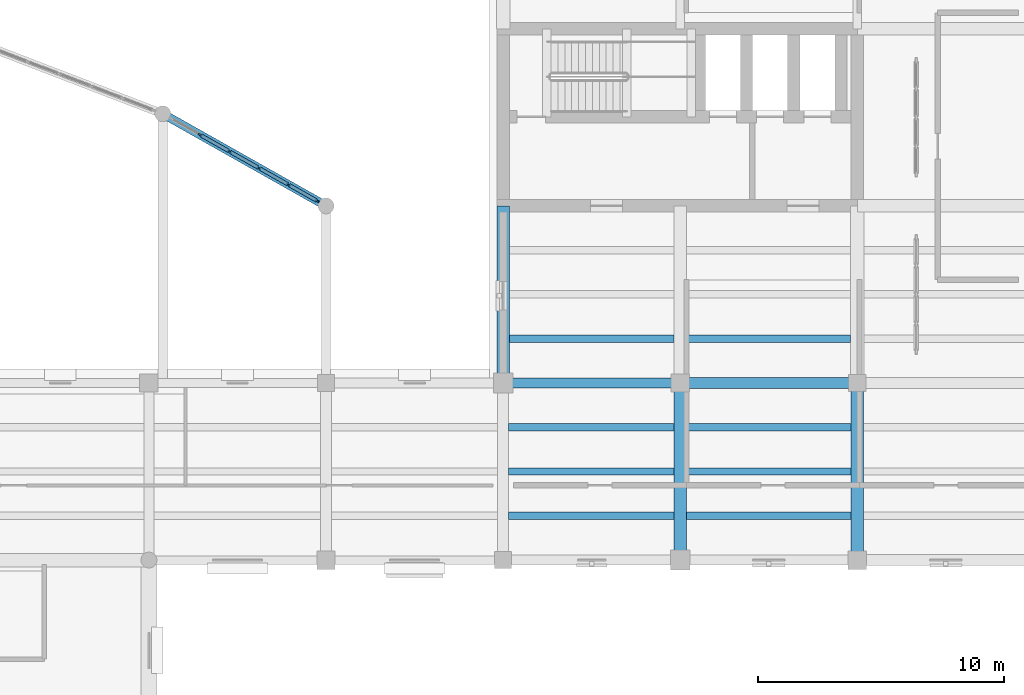
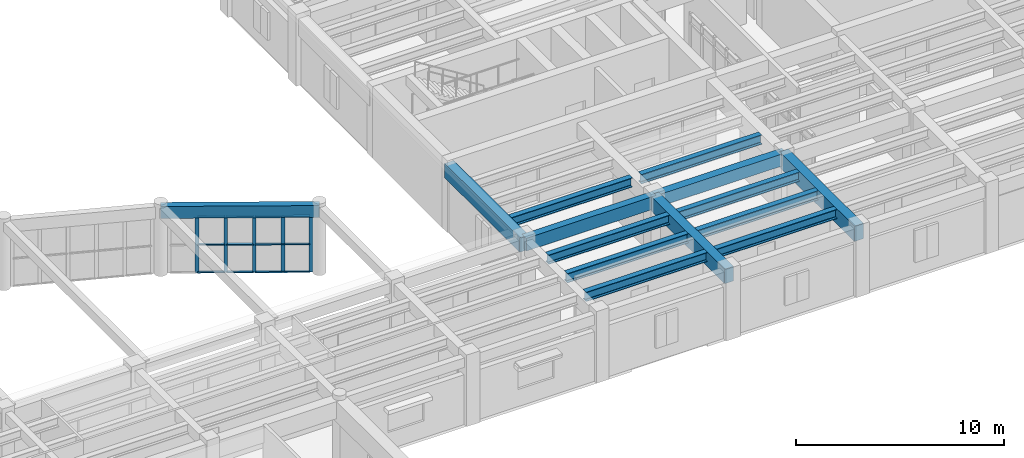
# One storey, part 20 of 76: 17 members, 14 beams, 1 element without a shape of its own.
"""IFC4 building model written with IfcOpenShell, lengths in metres."""

from ifc_helpers import new_model, si_unit, direction, frame, origin, origin_2d, place, context, subcontext, project, spatial, rectangle, i_section, extrude, material, material_profile, profile_set, type_object, element, aggregate, save


model = new_model("IFC4")

# Units and contexts
model_context = context("Model", 3, precision=1e-05, world=origin(), true_north=direction((0.0, 1.0)))
body_context = subcontext(model_context, "Body", "Model", "MODEL_VIEW")
ifc_project = project(units=[si_unit("LENGTHUNIT", "METRE"), si_unit("AREAUNIT", "SQUARE_METRE"), si_unit("VOLUMEUNIT", "CUBIC_METRE"), si_unit("PLANEANGLEUNIT", "RADIAN"), si_unit("MASSUNIT", "GRAM", prefix="KILO")], contexts=[model_context])

# Site, building, storey
site_placement = place(None, origin())
site = spatial("IfcSite", under=ifc_project, at=site_placement, CompositionType="ELEMENT")
building_placement = place(site_placement, origin())
building = spatial("IfcBuilding", under=site, at=building_placement, Name="Mithqara Police Headquarters", CompositionType="ELEMENT")
storey_placement = place(building_placement, frame((0.0, 0.0, 5.39990234375)))
storey = spatial("IfcBuildingStorey", under=building, at=storey_placement, Name="L01", CompositionType="ELEMENT", Elevation=5.39990234375)

# Beams
ifc_material_1 = material(Name="Steel S355JR", Category="steel")
ifc_material_profile_1 = material_profile(ifc_material_1, i_section(OverallWidth=0.300048828125, OverallDepth=0.550048828125, WebThickness=0.014892578125, FlangeThickness=0.029052734375, FilletRadius=0.027099609375, at=origin_2d()), Name="HEB 550")
ifc_profile_set_1 = profile_set([ifc_material_profile_1], Name="Steel S355JR")
beam_type_1 = type_object("IfcBeamType", Name="BEAM HEB550", PredefinedType="BEAM", material=ifc_profile_set_1)
for number, where, z_axis, x_axis, name in (
    (1, (108.824951171875, 80.39990234375, 3.64501953125), (1.0, 0.0, 0.0), (0.0, 1.0, 0.0), "L01 Composite Steel Joist 16-17/M.1"),
    (2, (108.824951171875, 82.199951171875, 3.64501953125), (1.0, 0.0, 0.0), (0.0, 1.0, 0.0), "L01 Composite Steel Joist 16-17/M.2"),
    (3, (108.824951171875, 84.0, 3.64501953125), (1.0, 0.0, 0.0), (0.0, 1.0, 0.0), "L01 Composite Steel Joist 16-17/M.3"),
):
    element("IfcBeam", number, at=place(storey_placement, frame(where, z_axis=z_axis, x_axis=x_axis)), inside=storey, type_object=beam_type_1, Name=name, PredefinedType="BEAM", context=body_context, shape_type="SweptSolid", body=[
        extrude(i_section(OverallWidth=0.300048828125, OverallDepth=0.550048828125, WebThickness=0.014892578125, FlangeThickness=0.029052734375, FilletRadius=0.027099609375, at=origin_2d()), origin(), (0.0, 0.0, 1.0), 6.72509765625),
    ])
for number, where, z_axis, x_axis, name in (
    (4, (108.85009765625, 87.60009765625, 3.64501953125), (1.0, 0.0, 0.0), (0.0, 1.0, 0.0), "L01 Composite Steel Joist 16-17/N.1"),
    (5, (116.050048828125, 80.39990234375, 3.64501953125), (1.0, 0.0, 0.0), (0.0, 1.0, 0.0), "L01 Composite Steel Joist 17-18/M.1"),
    (6, (116.050048828125, 82.199951171875, 3.64501953125), (1.0, 0.0, 0.0), (0.0, 1.0, 0.0), "L01 Composite Steel Joist 17-18/M.2"),
    (7, (116.050048828125, 84.0, 3.64501953125), (1.0, 0.0, 0.0), (0.0, 1.0, 0.0), "L01 Composite Steel Joist 17-18/M.3"),
):
    element("IfcBeam", number, at=place(storey_placement, frame(where, z_axis=z_axis, x_axis=x_axis)), inside=storey, type_object=beam_type_1, Name=name, PredefinedType="BEAM", context=body_context, shape_type="SweptSolid", body=[
        extrude(i_section(OverallWidth=0.300048828125, OverallDepth=0.550048828125, WebThickness=0.014892578125, FlangeThickness=0.029052734375, FilletRadius=0.027099609375, at=origin_2d()), origin(), (0.0, 0.0, 1.0), 6.699951171875),
    ])
beam_1_placement = place(storey_placement, frame((116.050048828125, 87.60009765625, 3.64501953125), z_axis=(1.0, 0.0, 0.0), x_axis=(0.0, 1.0, 0.0)))
element("IfcBeam", 8, at=beam_1_placement, inside=storey, type_object=beam_type_1, Name="L01 Composite Steel Joist 17-18/N.1", PredefinedType="BEAM", context=body_context, shape_type="SweptSolid", body=[
    extrude(i_section(OverallWidth=0.300048828125, OverallDepth=0.550048828125, WebThickness=0.014892578125, FlangeThickness=0.029052734375, FilletRadius=0.027099609375, at=origin_2d()), origin(), (0.0, 0.0, 1.0), 6.675048828125),
])
ifc_material_2 = material(Name="Concrete C40/50", Category="concrete")
ifc_material_profile_2 = material_profile(ifc_material_2, rectangle(XDim=0.39990234375, YDim=0.75, at=origin_2d()), Name="RC 400x750")
ifc_profile_set_2 = profile_set([ifc_material_profile_2], Name="Concrete C40/50")
beam_type_2 = type_object("IfcBeamType", Name="BEAM RC400X750", PredefinedType="BEAM", material=ifc_profile_set_2)
beam_2_placement = place(storey_placement, frame((108.60009765625, 85.800048828125, 3.545166015625), z_axis=(1.0, 0.0, 0.0), x_axis=(0.0, 1.0, 0.0)))
element("IfcBeam", 9, at=beam_2_placement, inside=storey, type_object=beam_type_2, Name="L01 Girder 16-17/N", PredefinedType="BEAM", context=body_context, shape_type="SweptSolid", body=[
    extrude(rectangle(XDim=0.39990234375, YDim=0.75, at=origin_2d()), origin(), (0.0, 0.0, 1.0), 7.199951171875),
])
ifc_material_profile_3 = material_profile(ifc_material_2, rectangle(XDim=0.449951171875, YDim=0.699951171875, at=origin_2d()), Name="RC 450x700")
ifc_profile_set_3 = profile_set([ifc_material_profile_3], Name="Concrete C40/50")
beam_type_3 = type_object("IfcBeamType", Name="BEAM RC450X700", PredefinedType="BEAM", material=ifc_profile_set_3)
beam_3_placement = place(storey_placement, frame((115.800048828125, 85.800048828125, 3.570068359375), z_axis=(1.0, 0.0, 0.0), x_axis=(0.0, 1.0, 0.0)))
element("IfcBeam", 10, at=beam_3_placement, inside=storey, type_object=beam_type_3, Name="L01 Girder 17-18/N", PredefinedType="BEAM", context=body_context, shape_type="SweptSolid", body=[
    extrude(rectangle(XDim=0.449951171875, YDim=0.699951171875, at=origin_2d()), origin(), (0.0, 0.0, 1.0), 7.199951171875),
])
ifc_material_profile_4 = material_profile(ifc_material_2, rectangle(XDim=0.5, YDim=0.85009765625, at=origin_2d()), Name="RC 500x850")
ifc_profile_set_4 = profile_set([ifc_material_profile_4], Name="Concrete C40/50")
beam_type_4 = type_object("IfcBeamType", Name="BEAM RC500X850", PredefinedType="BEAM", material=ifc_profile_set_4)
for number, where, z_axis, x_axis, name in (
    (11, (108.60009765625, 85.800048828125, 3.4951171875), (0.0, 1.0, 0.0), (-1.0, 0.0, 0.0), "L01 Girder 16/N-P"),
    (12, (115.800048828125, 78.60009765625, 3.4951171875), (0.0, 1.0, 0.0), (-1.0, 0.0, 0.0), "L01 Girder 17/M-N"),
):
    element("IfcBeam", number, at=place(storey_placement, frame(where, z_axis=z_axis, x_axis=x_axis)), inside=storey, type_object=beam_type_4, Name=name, PredefinedType="BEAM", context=body_context, shape_type="SweptSolid", body=[
        extrude(rectangle(XDim=0.5, YDim=0.85009765625, at=origin_2d()), origin(), (0.0, 0.0, 1.0), 7.199951171875),
    ])
ifc_material_3 = material(Name="Concrete C50/60", Category="concrete")
ifc_material_profile_5 = material_profile(ifc_material_3, rectangle(XDim=0.5, YDim=0.89990234375, at=origin_2d()), Name="RC 500x900")
ifc_profile_set_5 = profile_set([ifc_material_profile_5], Name="Concrete C50/60")
beam_type_5 = type_object("IfcBeamType", Name="BEAM RC500X900", PredefinedType="BEAM", material=ifc_profile_set_5)
beam_4_placement = place(storey_placement, frame((123.0, 78.60009765625, 3.47021484375), z_axis=(0.0, 1.0, 0.0), x_axis=(-1.0, 0.0, 0.0)))
element("IfcBeam", 13, at=beam_4_placement, inside=storey, type_object=beam_type_5, Name="L01 Girder 18/M-N", PredefinedType="BEAM", context=body_context, shape_type="SweptSolid", body=[
    extrude(rectangle(XDim=0.5, YDim=0.89990234375, at=origin_2d()), origin(), (0.0, 0.0, 1.0), 7.199951171875),
])

# Curtain wall, members
ifc_material_4 = material(Name="Bronze anodised aluminium 6063-T6", Category="aluminium")
curtain_wall_type = type_object("IfcCurtainWallType", Name="CURTAIN WALL 6875X3300", PredefinedType="USERDEFINED", material=ifc_material_4)
curtain_wall_placement = place(storey_placement, origin())
curtain_wall = element("IfcCurtainWall", 14, at=curtain_wall_placement, inside=storey, type_object=curtain_wall_type, Name="L01 Unitised Glazing CW-12 (CW-ARC-L01-07-0)", ObjectType="UNITISED GLAZING", PredefinedType="USERDEFINED")
ifc_material_profile_6 = material_profile(ifc_material_4, rectangle(XDim=0.06494140625, YDim=0.179931640625, at=origin_2d()), Name="CWM 65x180")
ifc_profile_set_6 = profile_set([ifc_material_profile_6], Name="Bronze anodised aluminium 6063-T6")
member_type_1 = type_object("IfcMemberType", Name="CWMULLION 65X180", PredefinedType="MULLION", material=ifc_profile_set_6)
member_1_placement = place(storey_placement, frame((96.28369140625, 95.885986328125, 0.0), z_axis=(0.0, 0.0, 1.0), x_axis=(0.491307888255, 0.870985969427, 0.0)))
member_1 = element("IfcMember", 15, at=member_1_placement, type_object=member_type_1, Name="CW-12 mullion 2", PredefinedType="MULLION", context=body_context, shape_type="SweptSolid", body=[
    extrude(rectangle(XDim=0.06494140625, YDim=0.179931640625, at=origin_2d()), origin(), (0.0, 0.0, 1.0), 3.300048828125),
])
member_2_placement = place(storey_placement, frame((97.481201171875, 95.210693359375, 0.0), z_axis=(0.0, 0.0, 1.0), x_axis=(0.491307888255, 0.870985969427, 0.0)))
member_2 = element("IfcMember", 16, at=member_2_placement, type_object=member_type_1, Name="CW-12 mullion 3", PredefinedType="MULLION", context=body_context, shape_type="SweptSolid", body=[
    extrude(rectangle(XDim=0.06494140625, YDim=0.179931640625, at=origin_2d()), origin(), (0.0, 0.0, 1.0), 3.300048828125),
])
member_3_placement = place(storey_placement, frame((98.6787109375, 94.53515625, 0.0), z_axis=(0.0, 0.0, 1.0), x_axis=(0.491307888255, 0.870985969427, 0.0)))
member_3 = element("IfcMember", 17, at=member_3_placement, type_object=member_type_1, Name="CW-12 mullion 4", PredefinedType="MULLION", context=body_context, shape_type="SweptSolid", body=[
    extrude(rectangle(XDim=0.06494140625, YDim=0.179931640625, at=origin_2d()), origin(), (0.0, 0.0, 1.0), 3.300048828125),
])
member_4_placement = place(storey_placement, frame((99.876220703125, 93.859619140625, 0.0), z_axis=(0.0, 0.0, 1.0), x_axis=(0.491307888255, 0.870985969427, 0.0)))
member_4 = element("IfcMember", 18, at=member_4_placement, type_object=member_type_1, Name="CW-12 mullion 5", PredefinedType="MULLION", context=body_context, shape_type="SweptSolid", body=[
    extrude(rectangle(XDim=0.06494140625, YDim=0.179931640625, at=origin_2d()), origin(), (0.0, 0.0, 1.0), 3.300048828125),
])
member_5_placement = place(storey_placement, frame((101.04541015625, 93.199951171875, 0.0), z_axis=(0.0, 0.0, 1.0), x_axis=(0.491307888255, 0.870985969427, 0.0)))
member_5 = element("IfcMember", 19, at=member_5_placement, type_object=member_type_1, Name="CW-12 mullion 6", PredefinedType="MULLION", context=body_context, shape_type="SweptSolid", body=[
    extrude(rectangle(XDim=0.06494140625, YDim=0.179931640625, at=origin_2d()), origin(), (0.0, 0.0, 1.0), 3.300048828125),
])
ifc_material_profile_7 = material_profile(ifc_material_4, rectangle(XDim=0.139892578125, YDim=0.06494140625, at=origin_2d()), Name="CWT 140x65")
ifc_profile_set_7 = profile_set([ifc_material_profile_7], Name="Bronze anodised aluminium 6063-T6")
member_type_2 = type_object("IfcMemberType", Name="CWTRANSOM 140X65", PredefinedType="USERDEFINED", material=ifc_profile_set_7)
member_6_placement = place(storey_placement, frame((96.31201171875, 95.8701171875, 0.03271484375), z_axis=(0.870982557983, -0.491313935982, 0.0), x_axis=(0.491313935982, 0.870982557983, 0.0)))
member_6 = element("IfcMember", 20, at=member_6_placement, type_object=member_type_2, Name="CW-12 transom 2.1", ObjectType="TRANSOM", PredefinedType="USERDEFINED", context=body_context, shape_type="SweptSolid", body=[
    extrude(rectangle(XDim=0.139892578125, YDim=0.06494140625, at=origin_2d()), origin(), (0.0, 0.0, 1.0), 1.309814453125),
])
member_7_placement = place(storey_placement, frame((96.31201171875, 95.8701171875, 1.650146484375), z_axis=(0.870982557983, -0.491313935982, 0.0), x_axis=(0.491313935982, 0.870982557983, 0.0)))
member_7 = element("IfcMember", 21, at=member_7_placement, type_object=member_type_2, Name="CW-12 transom 2.2", ObjectType="TRANSOM", PredefinedType="USERDEFINED", context=body_context, shape_type="SweptSolid", body=[
    extrude(rectangle(XDim=0.139892578125, YDim=0.06494140625, at=origin_2d()), origin(), (0.0, 0.0, 1.0), 1.309814453125),
])
member_8_placement = place(storey_placement, frame((96.31201171875, 95.8701171875, 3.267578125), z_axis=(0.870982557983, -0.491313935982, 0.0), x_axis=(0.491313935982, 0.870982557983, 0.0)))
member_8 = element("IfcMember", 22, at=member_8_placement, type_object=member_type_2, Name="CW-12 transom 2.3", ObjectType="TRANSOM", PredefinedType="USERDEFINED", context=body_context, shape_type="SweptSolid", body=[
    extrude(rectangle(XDim=0.139892578125, YDim=0.06494140625, at=origin_2d()), origin(), (0.0, 0.0, 1.0), 1.309814453125),
])
member_9_placement = place(storey_placement, frame((97.509521484375, 95.194580078125, 0.03271484375), z_axis=(0.870982557983, -0.491313935982, 0.0), x_axis=(0.491313935982, 0.870982557983, 0.0)))
member_9 = element("IfcMember", 23, at=member_9_placement, type_object=member_type_2, Name="CW-12 transom 3.1", ObjectType="TRANSOM", PredefinedType="USERDEFINED", context=body_context, shape_type="SweptSolid", body=[
    extrude(rectangle(XDim=0.139892578125, YDim=0.06494140625, at=origin_2d()), origin(), (0.0, 0.0, 1.0), 1.309814453125),
])
member_10_placement = place(storey_placement, frame((97.509521484375, 95.194580078125, 1.650146484375), z_axis=(0.870982557983, -0.491313935982, 0.0), x_axis=(0.491313935982, 0.870982557983, 0.0)))
member_10 = element("IfcMember", 24, at=member_10_placement, type_object=member_type_2, Name="CW-12 transom 3.2", ObjectType="TRANSOM", PredefinedType="USERDEFINED", context=body_context, shape_type="SweptSolid", body=[
    extrude(rectangle(XDim=0.139892578125, YDim=0.06494140625, at=origin_2d()), origin(), (0.0, 0.0, 1.0), 1.309814453125),
])
member_11_placement = place(storey_placement, frame((97.509521484375, 95.194580078125, 3.267578125), z_axis=(0.870982557983, -0.491313935982, 0.0), x_axis=(0.491313935982, 0.870982557983, 0.0)))
member_11 = element("IfcMember", 25, at=member_11_placement, type_object=member_type_2, Name="CW-12 transom 3.3", ObjectType="TRANSOM", PredefinedType="USERDEFINED", context=body_context, shape_type="SweptSolid", body=[
    extrude(rectangle(XDim=0.139892578125, YDim=0.06494140625, at=origin_2d()), origin(), (0.0, 0.0, 1.0), 1.309814453125),
])
member_12_placement = place(storey_placement, frame((98.70703125, 94.51904296875, 0.03271484375), z_axis=(0.870982557983, -0.491313935982, 0.0), x_axis=(0.491313935982, 0.870982557983, 0.0)))
member_12 = element("IfcMember", 26, at=member_12_placement, type_object=member_type_2, Name="CW-12 transom 4.1", ObjectType="TRANSOM", PredefinedType="USERDEFINED", context=body_context, shape_type="SweptSolid", body=[
    extrude(rectangle(XDim=0.139892578125, YDim=0.06494140625, at=origin_2d()), origin(), (0.0, 0.0, 1.0), 1.309814453125),
])
member_13_placement = place(storey_placement, frame((98.70703125, 94.51904296875, 1.650146484375), z_axis=(0.870982557983, -0.491313935982, 0.0), x_axis=(0.491313935982, 0.870982557983, 0.0)))
member_13 = element("IfcMember", 27, at=member_13_placement, type_object=member_type_2, Name="CW-12 transom 4.2", ObjectType="TRANSOM", PredefinedType="USERDEFINED", context=body_context, shape_type="SweptSolid", body=[
    extrude(rectangle(XDim=0.139892578125, YDim=0.06494140625, at=origin_2d()), origin(), (0.0, 0.0, 1.0), 1.309814453125),
])
member_14_placement = place(storey_placement, frame((98.70703125, 94.51904296875, 3.267578125), z_axis=(0.870982557983, -0.491313935982, 0.0), x_axis=(0.491313935982, 0.870982557983, 0.0)))
member_14 = element("IfcMember", 28, at=member_14_placement, type_object=member_type_2, Name="CW-12 transom 4.3", ObjectType="TRANSOM", PredefinedType="USERDEFINED", context=body_context, shape_type="SweptSolid", body=[
    extrude(rectangle(XDim=0.139892578125, YDim=0.06494140625, at=origin_2d()), origin(), (0.0, 0.0, 1.0), 1.309814453125),
])
member_15_placement = place(storey_placement, frame((99.904541015625, 93.84375, 0.03271484375), z_axis=(0.870947009323, -0.49137694996, 0.0), x_axis=(0.49137694996, 0.870947009323, 0.0)))
member_15 = element("IfcMember", 29, at=member_15_placement, type_object=member_type_2, Name="CW-12 transom 5.1", ObjectType="TRANSOM", PredefinedType="USERDEFINED", context=body_context, shape_type="SweptSolid", body=[
    extrude(rectangle(XDim=0.139892578125, YDim=0.06494140625, at=origin_2d()), origin(), (0.0, 0.0, 1.0), 1.27734375),
])
member_16_placement = place(storey_placement, frame((99.904541015625, 93.84375, 1.650146484375), z_axis=(0.870947009323, -0.49137694996, 0.0), x_axis=(0.49137694996, 0.870947009323, 0.0)))
member_16 = element("IfcMember", 30, at=member_16_placement, type_object=member_type_2, Name="CW-12 transom 5.2", ObjectType="TRANSOM", PredefinedType="USERDEFINED", context=body_context, shape_type="SweptSolid", body=[
    extrude(rectangle(XDim=0.139892578125, YDim=0.06494140625, at=origin_2d()), origin(), (0.0, 0.0, 1.0), 1.27734375),
])
member_17_placement = place(storey_placement, frame((99.904541015625, 93.84375, 3.267578125), z_axis=(0.870947009323, -0.49137694996, 0.0), x_axis=(0.49137694996, 0.870947009323, 0.0)))
member_17 = element("IfcMember", 31, at=member_17_placement, type_object=member_type_2, Name="CW-12 transom 5.3", ObjectType="TRANSOM", PredefinedType="USERDEFINED", context=body_context, shape_type="SweptSolid", body=[
    extrude(rectangle(XDim=0.139892578125, YDim=0.06494140625, at=origin_2d()), origin(), (0.0, 0.0, 1.0), 1.27734375),
])
aggregate(curtain_wall, [member_1, member_2, member_3, member_4, member_5, member_6, member_7, member_8, member_9, member_10, member_11, member_12, member_13, member_14, member_15, member_16, member_17])

# Beam
ifc_material_profile_8 = material_profile(ifc_material_2, rectangle(XDim=0.35009765625, YDim=0.699951171875, at=origin_2d()), Name="SPB 350x700")
ifc_profile_set_8 = profile_set([ifc_material_profile_8], Name="Concrete C40/50")
beam_type_6 = type_object("IfcBeamType", Name="SPANDREL 350X700", PredefinedType="SPANDREL", material=ifc_profile_set_8)
beam_5_placement = place(storey_placement, frame((94.759765625, 96.74560546875, 3.650146484375), z_axis=(0.870984792582, -0.491309974549, 0.0), x_axis=(0.491309974549, 0.870984792582, 0.0)))
element("IfcBeam", 32, at=beam_5_placement, inside=storey, type_object=beam_type_6, Name="L01 Swept Arcade Ring Spandrel 8", PredefinedType="SPANDREL", context=body_context, shape_type="SweptSolid", body=[
    extrude(rectangle(XDim=0.35009765625, YDim=0.699951171875, at=origin_2d()), origin(), (0.0, 0.0, 1.0), 7.623779296875),
])

save(model, "model.ifc")
